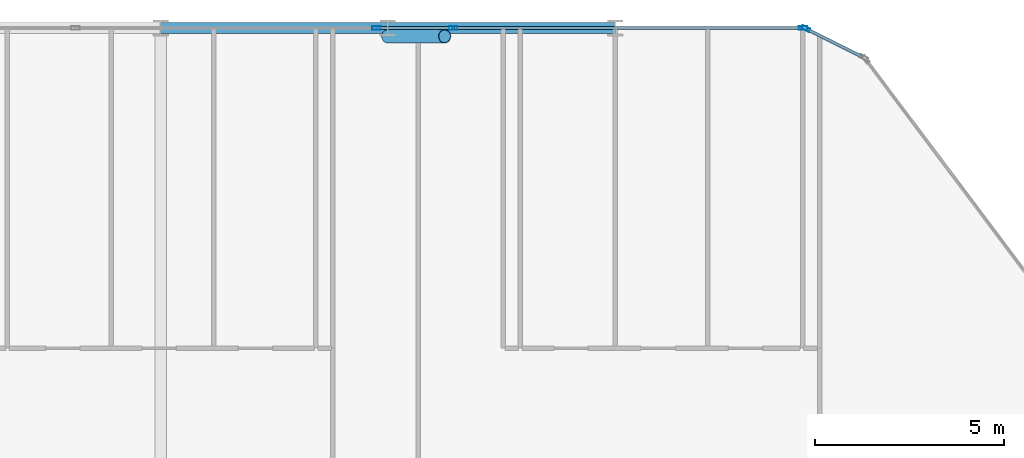
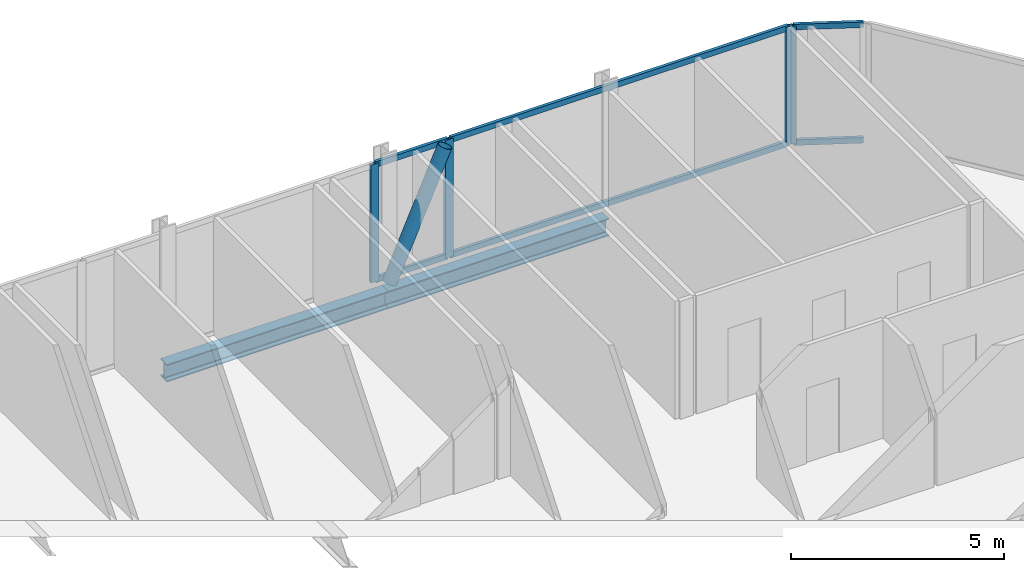
# One storey, part 16 of 33: 11 members, 2 beams, 4 elements without a shape of their own.
"""IFC4 building model written with IfcOpenShell, lengths in metres."""

from ifc_helpers import new_model, si_unit, direction, frame, origin, origin_2d, place, context, subcontext, project, spatial, hollow_rectangle, hollow_circle, i_section, extrude, material, layer, layer_set, material_profile, profile_set, type_object, element, aggregate, save


model = new_model("IFC4")

# Units and contexts
model_context = context("Model", 3, precision=1e-05, world=origin(), true_north=direction((0.0, 1.0)))
body_context = subcontext(model_context, "Body", "Model", "MODEL_VIEW")
ifc_project = project(units=[si_unit("LENGTHUNIT", "METRE"), si_unit("AREAUNIT", "SQUARE_METRE"), si_unit("VOLUMEUNIT", "CUBIC_METRE"), si_unit("PLANEANGLEUNIT", "RADIAN"), si_unit("MASSUNIT", "GRAM", prefix="KILO")], contexts=[model_context])

# Site, building, storey
site_placement = place(None, origin())
site = spatial("IfcSite", under=ifc_project, at=site_placement, CompositionType="ELEMENT")
building_placement = place(site_placement, origin())
building = spatial("IfcBuilding", under=site, at=building_placement, Name="Keshet Zoharim Tower", CompositionType="ELEMENT")
storey_placement = place(building_placement, frame((0.0, 0.0, 35.10009765625)))
storey = spatial("IfcBuildingStorey", under=building, at=storey_placement, Name="L07", CompositionType="ELEMENT", Elevation=35.10009765625)

# Beams
ifc_material_1 = material(Name="Steel S355", Category="steel")
ifc_material_profile_1 = material_profile(ifc_material_1, i_section(OverallWidth=0.300048828125, OverallDepth=0.5, WebThickness=0.014404296875, FlangeThickness=0.028076171875, FilletRadius=0.027099609375, at=origin_2d()), Name="HEB500")
ifc_profile_set_1 = profile_set([ifc_material_profile_1], Name="Steel S355")
beam_type = type_object("IfcBeamType", Name="BM-WEB-HB500", PredefinedType="BEAM", material=ifc_profile_set_1)
for number, where, z_axis, x_axis, name in (
    (1, (33.0, 53.89990234375, -0.565185546875), (1.0, 0.0, 0.0), (0.0, 1.0, 0.0), "L07 Primary Girder X-031"),
    (2, (39.0, 53.89990234375, -0.565185546875), (1.0, 0.0, 0.0), (0.0, 1.0, 0.0), "L07 Primary Girder X-032"),
):
    element("IfcBeam", number, at=place(storey_placement, frame(where, z_axis=z_axis, x_axis=x_axis)), inside=storey, type_object=beam_type, Name=name, PredefinedType="BEAM", context=body_context, shape_type="SweptSolid", body=[
        extrude(i_section(OverallWidth=0.300048828125, OverallDepth=0.5, WebThickness=0.014404296875, FlangeThickness=0.028076171875, FilletRadius=0.027099609375, at=origin_2d()), origin(), (0.0, 0.0, 1.0), 6.0),
    ])

# Curtain wall, member
ifc_material_2 = material(Name="Aluminium 6063-T6", Category="aluminium")
ifc_layer = layer(ifc_material_2, 0.169921875)
ifc_layer_set = layer_set([ifc_layer], Name="Aluminium 6063-T6")
curtain_wall_type = type_object("IfcCurtainWallType", Name="CW-SYS-02", PredefinedType="NOTDEFINED", material=ifc_layer_set)
curtain_wall_1_placement = place(storey_placement, origin())
curtain_wall_1 = element("IfcCurtainWall", 3, at=curtain_wall_1_placement, inside=storey, type_object=curtain_wall_type, Name="L07 Unitised Curtain Wall 07 Part 3", PredefinedType="NOTDEFINED")
ifc_material_profile_2 = material_profile(ifc_material_2, hollow_rectangle(XDim=0.090087890625, YDim=0.219970703125, WallThickness=0.0048828125, at=origin_2d()), Name="MUL-90x220")
ifc_profile_set_2 = profile_set([ifc_material_profile_2], Name="Aluminium 6063-T6")
member_type_1 = type_object("IfcMemberType", Name="CWM-M22", PredefinedType="MULLION", material=ifc_profile_set_2)
member_1_placement = place(storey_placement, frame((38.702392578125, 53.89990234375, 0.0), z_axis=(0.0, 0.0, 1.0), x_axis=(0.0, 1.0, 0.0)))
member_1 = element("IfcMember", 4, at=member_1_placement, type_object=member_type_1, Name="CW-02 mullion 3", PredefinedType="MULLION", context=body_context, shape_type="SweptSolid", body=[
    extrude(hollow_rectangle(XDim=0.090087890625, YDim=0.219970703125, WallThickness=0.0048828125, at=origin_2d()), origin(), (0.0, 0.0, 1.0), 3.385009765625),
])
aggregate(curtain_wall_1, [member_1])

curtain_wall_2_placement = place(storey_placement, origin())
curtain_wall_2 = element("IfcCurtainWall", 5, at=curtain_wall_2_placement, inside=storey, type_object=curtain_wall_type, Name="L07 Unitised Curtain Wall 07 Part 4", PredefinedType="NOTDEFINED")
member_2_placement = place(storey_placement, frame((40.7275390625, 53.89990234375, 0.0), z_axis=(0.0, 0.0, 1.0), x_axis=(0.0, 1.0, 0.0)))
member_2 = element("IfcMember", 6, at=member_2_placement, type_object=member_type_1, Name="CW-02 mullion 2", PredefinedType="MULLION", context=body_context, shape_type="SweptSolid", body=[
    extrude(hollow_rectangle(XDim=0.090087890625, YDim=0.219970703125, WallThickness=0.0048828125, at=origin_2d()), origin(), (0.0, 0.0, 1.0), 3.385009765625),
])

curtain_wall_3_placement = place(storey_placement, origin())
curtain_wall_3 = element("IfcCurtainWall", 7, at=curtain_wall_3_placement, inside=storey, type_object=curtain_wall_type, Name="L07 Unitised Curtain Wall 07 Part 5", PredefinedType="NOTDEFINED")
member_3_placement = place(storey_placement, frame((49.965087890625, 53.89990234375, 0.0), z_axis=(0.0, 0.0, 1.0), x_axis=(0.0, 1.0, 0.0)))
member_3 = element("IfcMember", 8, at=member_3_placement, type_object=member_type_1, Name="CW-02 mullion 2", PredefinedType="MULLION", context=body_context, shape_type="SweptSolid", body=[
    extrude(hollow_rectangle(XDim=0.090087890625, YDim=0.219970703125, WallThickness=0.0048828125, at=origin_2d()), origin(), (0.0, 0.0, 1.0), 3.385009765625),
])

curtain_wall_4_placement = place(storey_placement, origin())
curtain_wall_4 = element("IfcCurtainWall", 9, at=curtain_wall_4_placement, inside=storey, type_object=curtain_wall_type, Name="L07 Unitised Curtain Wall 08", PredefinedType="NOTDEFINED")
member_4_placement = place(storey_placement, frame((50.03125, 53.88427734375, 0.0), z_axis=(0.0, 0.0, 1.0), x_axis=(0.447213595499, 0.894427191001, 0.0)))
member_4 = element("IfcMember", 10, at=member_4_placement, type_object=member_type_1, Name="CW-02 mullion 1", PredefinedType="MULLION", context=body_context, shape_type="SweptSolid", body=[
    extrude(hollow_rectangle(XDim=0.090087890625, YDim=0.219970703125, WallThickness=0.0048828125, at=origin_2d()), origin(), (0.0, 0.0, 1.0), 3.385009765625),
])

# Member
ifc_material_profile_3 = material_profile(ifc_material_2, hollow_rectangle(XDim=0.0849609375, YDim=0.159912109375, WallThickness=0.00439453125, at=origin_2d()), Name="TRN-85x160")
ifc_profile_set_3 = profile_set([ifc_material_profile_3], Name="Aluminium 6063-T6")
member_type_2 = type_object("IfcMemberType", Name="CWT-T16", PredefinedType="USERDEFINED", material=ifc_profile_set_3)
member_5_placement = place(storey_placement, frame((38.7373046875, 53.89990234375, 0.034912109375), z_axis=(1.0, 0.0, 0.0), x_axis=(0.0, 1.0, 0.0)))
member_5 = element("IfcMember", 11, at=member_5_placement, type_object=member_type_2, Name="CW-02 transom 1.1", ObjectType="TRANSOM", PredefinedType="USERDEFINED", context=body_context, shape_type="SweptSolid", body=[
    extrude(hollow_rectangle(XDim=0.0849609375, YDim=0.159912109375, WallThickness=0.00439453125, at=origin_2d()), origin(), (0.0, 0.0, 1.0), 1.955322265625),
])

member_6_placement = place(storey_placement, frame((38.7373046875, 53.89990234375, 3.349853515625), z_axis=(1.0, 0.0, 0.0), x_axis=(0.0, 1.0, 0.0)))
member_6 = element("IfcMember", 12, at=member_6_placement, type_object=member_type_2, Name="CW-02 transom 1.2", ObjectType="TRANSOM", PredefinedType="USERDEFINED", context=body_context, shape_type="SweptSolid", body=[
    extrude(hollow_rectangle(XDim=0.0849609375, YDim=0.159912109375, WallThickness=0.00439453125, at=origin_2d()), origin(), (0.0, 0.0, 1.0), 1.955322265625),
])

aggregate(curtain_wall_2, [member_2, member_5, member_6])

member_7_placement = place(storey_placement, frame((40.7626953125, 53.89990234375, 0.034912109375), z_axis=(1.0, 0.0, 0.0), x_axis=(0.0, 1.0, 0.0)))
member_7 = element("IfcMember", 13, at=member_7_placement, type_object=member_type_2, Name="CW-02 transom 1.1", ObjectType="TRANSOM", PredefinedType="USERDEFINED", context=body_context, shape_type="SweptSolid", body=[
    extrude(hollow_rectangle(XDim=0.0849609375, YDim=0.159912109375, WallThickness=0.00439453125, at=origin_2d()), origin(), (0.0, 0.0, 1.0), 9.167236328125),
])

member_8_placement = place(storey_placement, frame((40.7626953125, 53.89990234375, 3.349853515625), z_axis=(1.0, 0.0, 0.0), x_axis=(0.0, 1.0, 0.0)))
member_8 = element("IfcMember", 14, at=member_8_placement, type_object=member_type_2, Name="CW-02 transom 1.2", ObjectType="TRANSOM", PredefinedType="USERDEFINED", context=body_context, shape_type="SweptSolid", body=[
    extrude(hollow_rectangle(XDim=0.0849609375, YDim=0.159912109375, WallThickness=0.00439453125, at=origin_2d()), origin(), (0.0, 0.0, 1.0), 9.167236328125),
])

aggregate(curtain_wall_3, [member_3, member_7, member_8])

member_9_placement = place(storey_placement, frame((50.0625, 53.86865234375, 0.034912109375), z_axis=(0.894456801911, -0.447154368775, 0.0), x_axis=(0.447154368775, 0.894456801911, 0.0)))
member_9 = element("IfcMember", 15, at=member_9_placement, type_object=member_type_2, Name="CW-02 transom 1.1", ObjectType="TRANSOM", PredefinedType="USERDEFINED", context=body_context, shape_type="SweptSolid", body=[
    extrude(hollow_rectangle(XDim=0.0849609375, YDim=0.159912109375, WallThickness=0.00439453125, at=origin_2d()), origin(), (0.0, 0.0, 1.0), 1.64892578125),
])

member_10_placement = place(storey_placement, frame((50.0625, 53.86865234375, 3.349853515625), z_axis=(0.894456801911, -0.447154368775, 0.0), x_axis=(0.447154368775, 0.894456801911, 0.0)))
member_10 = element("IfcMember", 16, at=member_10_placement, type_object=member_type_2, Name="CW-02 transom 1.2", ObjectType="TRANSOM", PredefinedType="USERDEFINED", context=body_context, shape_type="SweptSolid", body=[
    extrude(hollow_rectangle(XDim=0.0849609375, YDim=0.159912109375, WallThickness=0.00439453125, at=origin_2d()), origin(), (0.0, 0.0, 1.0), 1.64892578125),
])

aggregate(curtain_wall_4, [member_4, member_9, member_10])

ifc_material_profile_4 = material_profile(ifc_material_1, hollow_circle(Radius=0.177734375, WallThickness=0.012451171875, at=origin_2d()), Name="CHS355x12.5")
ifc_profile_set_4 = profile_set([ifc_material_profile_4], Name="Steel S355")
member_type_3 = type_object("IfcMemberType", Name="MB-BR-C355", PredefinedType="BRACE", material=ifc_profile_set_4)
member_11_placement = place(storey_placement, frame((39.0, 53.679931640625, 0.0), z_axis=(0.405134846829, 0.0, 0.91425694194), x_axis=(0.0, 1.0, 0.0)))
element("IfcMember", 17, at=member_11_placement, inside=storey, type_object=member_type_3, Name="L07 Perimeter Tube Brace 04", PredefinedType="BRACE", context=body_context, shape_type="SweptSolid", body=[
    extrude(hollow_circle(Radius=0.177734375, WallThickness=0.012451171875, at=origin_2d()), origin(), (0.0, 0.0, 1.0), 3.702392578125),
])

save(model, "model.ifc")
